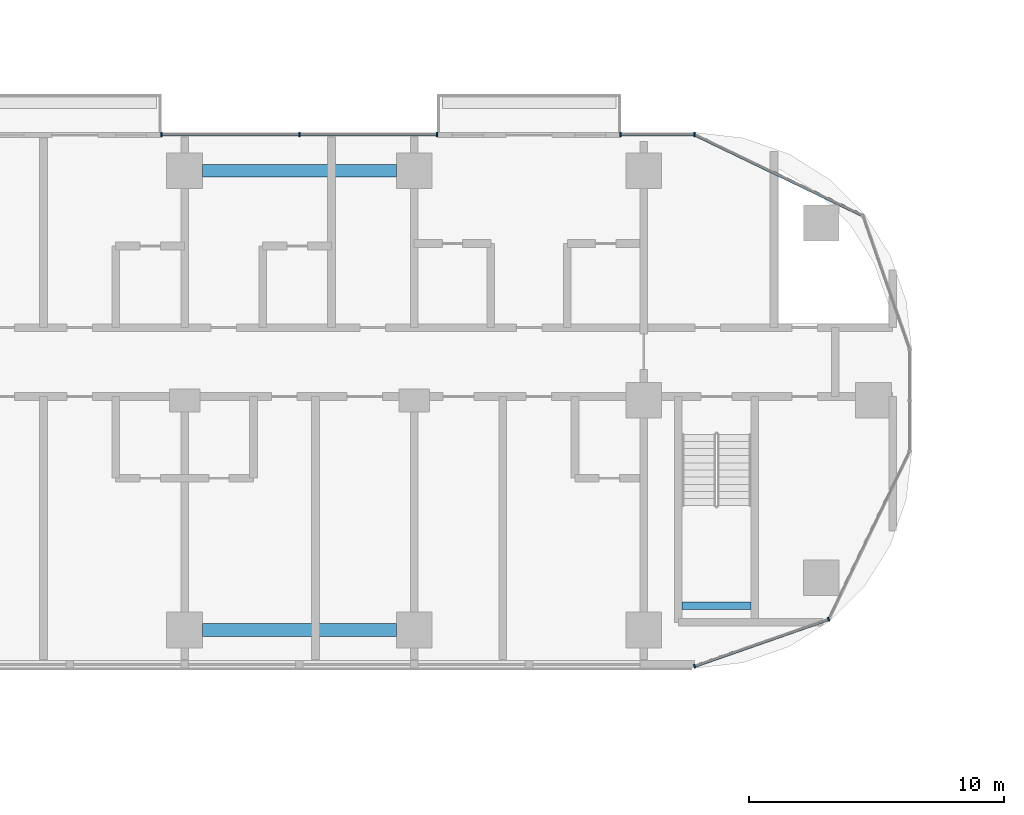
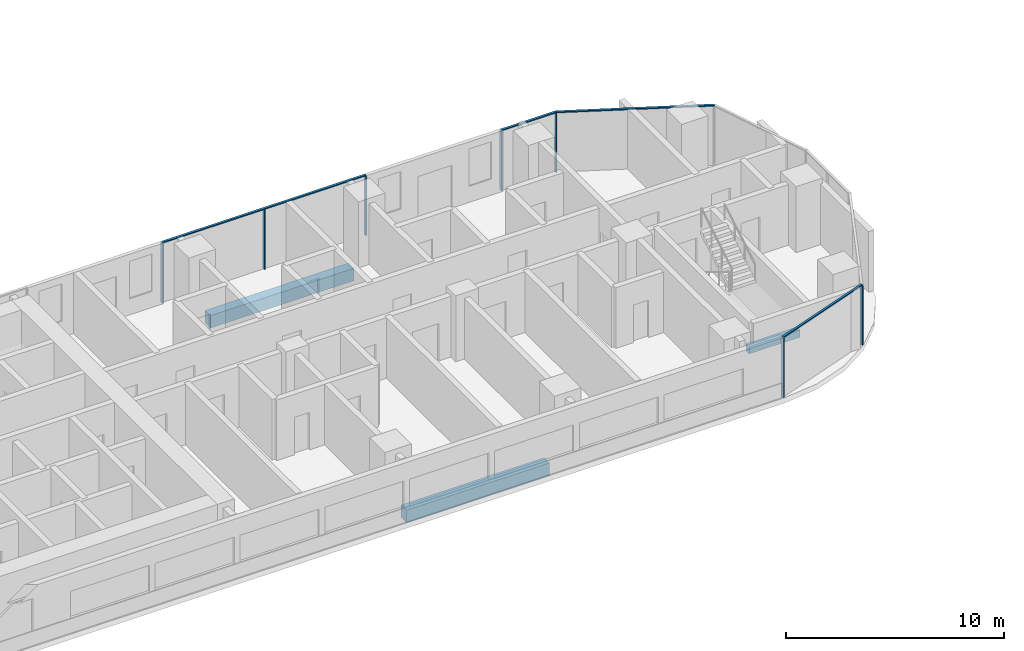
# One storey, part 3 of 31: 11 members, 3 beams, 4 elements without a shape of their own.
"""IFC4 building model written with IfcOpenShell, lengths in metres."""

import ifcopenshell
import ifcopenshell.guid

model = None  # the IFC model being written
_history = None  # IfcOwnerHistory: only IFC2X3 demands one
_inside = {}  # id of a spatial element -> (the spatial element, [elements in it])
_under = {}  # id of a project, library or spatial element -> (it, [spatial elements below it])
_declared = {}  # id of a project -> (the project, [libraries it declares])
_typed = {}  # id of a type object -> (the type object, [elements of that type])
_made_of = {}  # id of a material, layer set ... -> (it, [elements and type objects made of it])


def new_model(schema):
    """Start an empty IFC model of exactly this schema.

    Asked for "IFC4X3", IfcOpenShell would pick the latest addendum, in which some entities
    have other attributes; the version numbers below select the first issue.
    IFC2X3 requires an IfcOwnerHistory on every rooted entity: one is made here for all.
    """
    global model, _history
    if schema == "IFC4X3":
        model = ifcopenshell.file(schema_version=(4, 3, 0, 0))
    else:
        model = ifcopenshell.file(schema=schema)
    _inside.clear()
    _under.clear()
    _declared.clear()
    _typed.clear()
    _made_of.clear()
    _history = None
    if model.schema == "IFC2X3":
        org = make("IfcOrganization", Name="unknown")
        user = make(
            "IfcPersonAndOrganization",
            ThePerson=make("IfcPerson", FamilyName="unknown"),
            TheOrganization=org,
        )
        app = make(
            "IfcApplication",
            ApplicationDeveloper=org,
            Version="unknown",
            ApplicationFullName="unknown",
            ApplicationIdentifier="unknown",
        )
        _history = make(
            "IfcOwnerHistory",
            OwningUser=user,
            OwningApplication=app,
            ChangeAction="ADDED",
            CreationDate=0,
        )
    return model


def make(cls, **values):
    """One entity of the class cls with the attributes given. An attribute that is None is left unset."""
    return model.create_entity(
        cls, **{name: value for name, value in values.items() if value is not None}
    )


def rooted(cls, **values):
    """An entity with a GlobalId (a new one), such as an element, a storey or a relation."""
    return make(cls, GlobalId=ifcopenshell.guid.new(), OwnerHistory=_history, **values)


def si_unit(unit_type, name, prefix=None):
    """IfcSIUnit, for example si_unit("LENGTHUNIT", "METRE", prefix="MILLI")."""
    return make("IfcSIUnit", UnitType=unit_type, Prefix=prefix, Name=name)


def assignment(units):
    """IfcUnitAssignment: the units of a project."""
    return None if units is None else make("IfcUnitAssignment", Units=units)


def point(xyz):
    """IfcCartesianPoint."""
    return None if xyz is None else make("IfcCartesianPoint", Coordinates=xyz)


def direction(xyz):
    """IfcDirection."""
    return None if xyz is None else make("IfcDirection", DirectionRatios=xyz)


def frame(location, z_axis=None, x_axis=None):
    """IfcAxis2Placement3D, a coordinate frame: its origin and axes. An axis left out is left unset."""
    return make(
        "IfcAxis2Placement3D",
        Location=point(location),
        Axis=direction(z_axis),
        RefDirection=direction(x_axis),
    )


def frame_2d(location, x_axis=None):
    """IfcAxis2Placement2D, a coordinate frame in the plane: its origin and x axis."""
    return make(
        "IfcAxis2Placement2D", Location=point(location), RefDirection=direction(x_axis)
    )


def origin():
    """The frame at (0, 0, 0) with its axes left unset."""
    return frame((0.0, 0.0, 0.0))


def origin_2d():
    """The frame at (0, 0) in the plane with its x axis left unset."""
    return frame_2d((0.0, 0.0))


def place(relative_to, where):
    """IfcLocalPlacement: puts the frame where relative to a parent placement (None: the world)."""
    return make(
        "IfcLocalPlacement", PlacementRelTo=relative_to, RelativePlacement=where
    )


def context(
    kind, dimensions, precision=None, world=None, true_north=None, identifier=None
):
    """IfcGeometricRepresentationContext, for example the 3D "Model" context."""
    return make(
        "IfcGeometricRepresentationContext",
        ContextIdentifier=identifier,
        ContextType=kind,
        CoordinateSpaceDimension=dimensions,
        Precision=precision,
        WorldCoordinateSystem=world,
        TrueNorth=true_north,
    )


def subcontext(parent, identifier, kind, view, scale=None):
    """IfcGeometricRepresentationSubContext, for example "Body" below "Model"."""
    return make(
        "IfcGeometricRepresentationSubContext",
        ContextIdentifier=identifier,
        ContextType=kind,
        ParentContext=parent,
        TargetScale=scale,
        TargetView=view,
    )


def project(units=None, contexts=None):
    """IfcProject with its units and contexts."""
    return rooted(
        "IfcProject",
        Name="project",
        RepresentationContexts=contexts,
        UnitsInContext=assignment(units),
    )


def spatial(cls, under=None, at=None, **own):
    """A site, building, storey or space (cls), placed at a placement, below another one or the project."""
    s = rooted(cls, ObjectPlacement=at, **own)
    if under is not None:
        _under.setdefault(under.id(), (under, []))[1].append(s)
    return s


def profile(cls, at=None, kind="AREA", **sizes):
    """A parametric profile (cls). Its sizes go by their IFC names, for example OverallWidth=200.0."""
    return make(cls, ProfileType=kind, Position=at, **sizes)


def rectangle(**sizes):
    """IfcRectangleProfileDef."""
    return profile("IfcRectangleProfileDef", **sizes)


def extrude(swept, where, along, depth):
    """IfcExtrudedAreaSolid: the profile swept, set in the frame where, extruded along a direction by depth."""
    return make(
        "IfcExtrudedAreaSolid",
        SweptArea=swept,
        Position=where,
        ExtrudedDirection=direction(along),
        Depth=depth,
    )


def shape(context_of_items, identifier, shape_type, items):
    """IfcShapeRepresentation: the items that make up one representation, for example the "Body"."""
    return make(
        "IfcShapeRepresentation",
        ContextOfItems=context_of_items,
        RepresentationIdentifier=identifier,
        RepresentationType=shape_type,
        Items=items,
    )


def material(Name=None, Category=None):
    """IfcMaterial."""
    return make("IfcMaterial", Name=Name, Category=Category)


def material_profile(
    of_material, cross_section, Name=None, Category=None, Priority=None
):
    """IfcMaterialProfile: a cross section and its material."""
    return make(
        "IfcMaterialProfile",
        Name=Name,
        Material=of_material,
        Profile=cross_section,
        Priority=Priority,
        Category=Category,
    )


def profile_set(profiles, Name=None, composite=None):
    """IfcMaterialProfileSet."""
    return make(
        "IfcMaterialProfileSet",
        Name=Name,
        MaterialProfiles=profiles,
        CompositeProfile=composite,
    )


def made_of(thing, what):
    """Note that an element or type object is made of a material, layer set ...; save() writes the relation."""
    if what is not None:
        _made_of.setdefault(what.id(), (what, []))[1].append(thing)
    return thing


def type_object(cls, material=None, **own):
    """A type object (cls), such as IfcWallType, which elements share."""
    return made_of(rooted(cls, **own), material)


def element(
    cls,
    number,
    at=None,
    inside=None,
    cuts=None,
    type_object=None,
    material=None,
    context=None,
    identifier="Body",
    shape_type=None,
    held_by="IfcProductDefinitionShape",
    body=None,
    shapes=None,
    **own,
):
    """One element of the class cls, such as IfcWall. Its Tag is "e" and its number.

    at: its placement. inside: the storey or other place that contains it. cuts: it is an
    opening in that element (IfcRelVoidsElement). A single representation is given by context,
    identifier, shape_type and body (its items); several are given by shapes. held_by: the class
    of the entity that holds the representations. save() writes the other relations.
    """
    e = rooted(cls, Tag="e%d" % number, ObjectPlacement=at, **own)
    if body is not None:
        shapes = [shape(context, identifier, shape_type, body)]
    if shapes is not None:
        e.Representation = make(held_by, Representations=shapes)
    if inside is not None:
        _inside.setdefault(inside.id(), (inside, []))[1].append(e)
    if cuts is not None:
        rooted(
            "IfcRelVoidsElement", RelatingBuildingElement=cuts, RelatedOpeningElement=e
        )
    if type_object is not None:
        _typed.setdefault(type_object.id(), (type_object, []))[1].append(e)
    return made_of(e, material)


def aggregate(whole, parts):
    """IfcRelAggregates: a whole, such as a stair, and the parts it consists of."""
    return rooted("IfcRelAggregates", RelatingObject=whole, RelatedObjects=parts)


def save(model, path):
    """Write the relations noted so far, then the file.

    IfcRelAggregates (storeys below a building ...), IfcRelContainedInSpatialStructure (elements
    in a storey), IfcRelDefinesByType, IfcRelAssociatesMaterial and IfcRelDeclares: one each for
    every whole, place, type object, material and project.
    """
    for whole, parts in _under.values():
        aggregate(whole, parts)
    for where, things in _inside.values():
        rooted(
            "IfcRelContainedInSpatialStructure",
            RelatedElements=things,
            RelatingStructure=where,
        )
    for kind, things in _typed.values():
        rooted("IfcRelDefinesByType", RelatedObjects=things, RelatingType=kind)
    for what, things in _made_of.values():
        rooted("IfcRelAssociatesMaterial", RelatedObjects=things, RelatingMaterial=what)
    for by, libraries in _declared.values():
        rooted("IfcRelDeclares", RelatingContext=by, RelatedDefinitions=libraries)
    model.write(path)


model = new_model("IFC4")

# Units and contexts
model_context = context("Model", 3, precision=1e-05, world=origin(), true_north=direction((0.0, 1.0)))
body_context = subcontext(model_context, "Body", "Model", "MODEL_VIEW")
ifc_project = project(units=[si_unit("LENGTHUNIT", "METRE"), si_unit("AREAUNIT", "SQUARE_METRE"), si_unit("VOLUMEUNIT", "CUBIC_METRE"), si_unit("PLANEANGLEUNIT", "RADIAN"), si_unit("MASSUNIT", "GRAM", prefix="KILO")], contexts=[model_context])

# Site, building, storey
site_placement = place(None, origin())
site = spatial("IfcSite", under=ifc_project, at=site_placement, CompositionType="ELEMENT")
building_placement = place(site_placement, origin())
building = spatial("IfcBuilding", under=site, at=building_placement, Name="Ogive Portal Towers", CompositionType="ELEMENT")
storey_placement = place(building_placement, frame((0.0, 0.0, 74.199951171875)))
storey = spatial("IfcBuildingStorey", under=building, at=storey_placement, Name="L17", CompositionType="ELEMENT", Elevation=74.199951171875)

# Beam
ifc_material_1 = material(Name="Concrete C40/50", Category="concrete")
ifc_material_profile_1 = material_profile(ifc_material_1, rectangle(XDim=0.300048828125, YDim=0.39990234375, at=origin_2d()), Name="RC 300x400")
ifc_profile_set_1 = profile_set([ifc_material_profile_1], Name="Concrete C40/50")
beam_type_1 = type_object("IfcBeamType", Name="BEAM RC 300x400", PredefinedType="BEAM", material=ifc_profile_set_1)
beam_placement = place(storey_placement, frame((87.0, 22.449951171875, 1.449951171875), z_axis=(1.0, 0.0, 0.0), x_axis=(0.0, 1.0, 0.0)))
element("IfcBeam", 1, at=beam_placement, inside=storey, type_object=beam_type_1, Name="Landing beam L17", PredefinedType="BEAM", context=body_context, shape_type="SweptSolid", body=[
    extrude(rectangle(XDim=0.300048828125, YDim=0.39990234375, at=origin_2d()), origin(), (0.0, 0.0, 1.0), 2.699951171875),
])

# Curtain wall, members
ifc_material_2 = material(Name="Glass, clear low-iron insulated glazing", Category="glass")
curtain_wall_type = type_object("IfcCurtainWallType", Name="CW FRONT RIBBON 4500", PredefinedType="NOTDEFINED", material=ifc_material_2)
curtain_wall_1_placement = place(storey_placement, origin())
curtain_wall_1 = element("IfcCurtainWall", 2, at=curtain_wall_1_placement, inside=storey, type_object=curtain_wall_type, Name="A:L17:f12:cw0", PredefinedType="NOTDEFINED")
ifc_material_3 = material(Name="Aluminium 6063 anodised", Category="aluminium")
ifc_material_profile_2 = material_profile(ifc_material_3, rectangle(XDim=0.159912109375, YDim=0.06005859375, at=origin_2d()), Name="AL 60x160")
ifc_profile_set_2 = profile_set([ifc_material_profile_2], Name="Aluminium 6063 anodised")
member_type_1 = type_object("IfcMemberType", Name="CW MULLION 60x160", PredefinedType="MULLION", material=ifc_profile_set_2)
member_1_placement = place(storey_placement, frame((87.481689453125, 40.919921875, 0.0), z_axis=(0.0, 0.0, 1.0), x_axis=(0.0, -1.0, 0.0)))
member_1 = element("IfcMember", 3, at=member_1_placement, type_object=member_type_1, Name="mullion", PredefinedType="MULLION", context=body_context, shape_type="SweptSolid", body=[
    extrude(rectangle(XDim=0.159912109375, YDim=0.06005859375, at=origin_2d()), origin(), (0.0, 0.0, 1.0), 3.340087890625),
])
member_2_placement = place(storey_placement, frame((84.582763671875, 40.919921875, 0.0), z_axis=(0.0, 0.0, 1.0), x_axis=(0.0, -1.0, 0.0)))
member_2 = element("IfcMember", 4, at=member_2_placement, type_object=member_type_1, Name="mullion", PredefinedType="MULLION", context=body_context, shape_type="SweptSolid", body=[
    extrude(rectangle(XDim=0.159912109375, YDim=0.06005859375, at=origin_2d()), origin(), (0.0, 0.0, 1.0), 3.340087890625),
])

curtain_wall_2_placement = place(storey_placement, origin())
curtain_wall_2 = element("IfcCurtainWall", 5, at=curtain_wall_2_placement, inside=storey, type_object=curtain_wall_type, Name="A:L17:f12:cw1", PredefinedType="NOTDEFINED")
member_3_placement = place(storey_placement, frame((77.385009765625, 40.919921875, 0.0), z_axis=(0.0, 0.0, 1.0), x_axis=(0.0, -1.0, 0.0)))
member_3 = element("IfcMember", 6, at=member_3_placement, type_object=member_type_1, Name="mullion", PredefinedType="MULLION", context=body_context, shape_type="SweptSolid", body=[
    extrude(rectangle(XDim=0.159912109375, YDim=0.06005859375, at=origin_2d()), origin(), (0.0, 0.0, 1.0), 3.340087890625),
])
member_4_placement = place(storey_placement, frame((72.0, 40.919921875, 0.0), z_axis=(0.0, 0.0, 1.0), x_axis=(0.0, -1.0, 0.0)))
member_4 = element("IfcMember", 7, at=member_4_placement, type_object=member_type_1, Name="mullion", PredefinedType="MULLION", context=body_context, shape_type="SweptSolid", body=[
    extrude(rectangle(XDim=0.159912109375, YDim=0.06005859375, at=origin_2d()), origin(), (0.0, 0.0, 1.0), 3.340087890625),
])
member_5_placement = place(storey_placement, frame((66.588623046875, 40.919921875, 0.0), z_axis=(0.0, 0.0, 1.0), x_axis=(0.0, -1.0, 0.0)))
member_5 = element("IfcMember", 8, at=member_5_placement, type_object=member_type_1, Name="mullion", PredefinedType="MULLION", context=body_context, shape_type="SweptSolid", body=[
    extrude(rectangle(XDim=0.159912109375, YDim=0.06005859375, at=origin_2d()), origin(), (0.0, 0.0, 1.0), 3.340087890625),
])

curtain_wall_3_placement = place(storey_placement, origin())
curtain_wall_3 = element("IfcCurtainWall", 9, at=curtain_wall_3_placement, inside=storey, type_object=curtain_wall_type, Name="A:L17:f07:cwa", PredefinedType="NOTDEFINED")
member_6_placement = place(storey_placement, frame((87.486328125, 20.080078125, 0.0), z_axis=(0.0, 0.0, 1.0), x_axis=(-0.33027906196, 0.943883330307, 0.0)))
member_6 = element("IfcMember", 10, at=member_6_placement, type_object=member_type_1, Name="mullion", PredefinedType="MULLION", context=body_context, shape_type="SweptSolid", body=[
    extrude(rectangle(XDim=0.159912109375, YDim=0.06005859375, at=origin_2d()), origin(), (0.0, 0.0, 1.0), 3.340087890625),
])
member_7_placement = place(storey_placement, frame((92.741943359375, 21.9189453125, 0.0), z_axis=(0.0, 0.0, 1.0), x_axis=(-0.33027906196, 0.943883330307, 0.0)))
member_7 = element("IfcMember", 11, at=member_7_placement, type_object=member_type_1, Name="mullion", PredefinedType="MULLION", context=body_context, shape_type="SweptSolid", body=[
    extrude(rectangle(XDim=0.159912109375, YDim=0.06005859375, at=origin_2d()), origin(), (0.0, 0.0, 1.0), 3.340087890625),
])

# Member
ifc_material_profile_3 = material_profile(ifc_material_3, rectangle(XDim=0.1201171875, YDim=0.06005859375, at=origin_2d()), Name="AL 120x60")
ifc_profile_set_3 = profile_set([ifc_material_profile_3], Name="Aluminium 6063 anodised")
member_type_2 = type_object("IfcMemberType", Name="CW TRANSOM 60x120", PredefinedType="USERDEFINED", material=ifc_profile_set_3)
member_8_placement = place(storey_placement, frame((87.481689453125, 40.919921875, 3.3701171875), z_axis=(-1.0, 0.0, 0.0), x_axis=(0.0, -1.0, 0.0)))
member_8 = element("IfcMember", 12, at=member_8_placement, type_object=member_type_2, Name="transom", ObjectType="TRANSOM", PredefinedType="USERDEFINED", context=body_context, shape_type="SweptSolid", body=[
    extrude(rectangle(XDim=0.1201171875, YDim=0.06005859375, at=origin_2d()), origin(), (0.0, 0.0, 1.0), 2.89892578125),
])

aggregate(curtain_wall_1, [member_8, member_1, member_2])

member_9_placement = place(storey_placement, frame((77.385009765625, 40.919921875, 3.3701171875), z_axis=(-1.0, 0.0, 0.0), x_axis=(0.0, -1.0, 0.0)))
member_9 = element("IfcMember", 13, at=member_9_placement, type_object=member_type_2, Name="transom", ObjectType="TRANSOM", PredefinedType="USERDEFINED", context=body_context, shape_type="SweptSolid", body=[
    extrude(rectangle(XDim=0.1201171875, YDim=0.06005859375, at=origin_2d()), origin(), (0.0, 0.0, 1.0), 10.79638671875),
])

aggregate(curtain_wall_2, [member_9, member_3, member_4, member_5])

member_10_placement = place(storey_placement, frame((87.486328125, 20.080078125, 3.3701171875), z_axis=(0.943891847017, 0.330254721593, 0.0), x_axis=(-0.330254721593, 0.943891847017, 0.0)))
member_10 = element("IfcMember", 14, at=member_10_placement, type_object=member_type_2, Name="transom", ObjectType="TRANSOM", PredefinedType="USERDEFINED", context=body_context, shape_type="SweptSolid", body=[
    extrude(rectangle(XDim=0.1201171875, YDim=0.06005859375, at=origin_2d()), origin(), (0.0, 0.0, 1.0), 5.568115234375),
])

aggregate(curtain_wall_3, [member_10, member_6, member_7])

# Curtain wall, member
curtain_wall_4_placement = place(storey_placement, origin())
curtain_wall_4 = element("IfcCurtainWall", 15, at=curtain_wall_4_placement, inside=storey, type_object=curtain_wall_type, Name="A:L17:f10:cwa", PredefinedType="NOTDEFINED")
member_11_placement = place(storey_placement, frame((94.0810546875, 37.741943359375, 3.3701171875), z_axis=(-0.900974646757, 0.433871738997, 0.0), x_axis=(-0.433871738997, -0.900974646757, 0.0)))
member_11 = element("IfcMember", 16, at=member_11_placement, type_object=member_type_2, Name="transom", ObjectType="TRANSOM", PredefinedType="USERDEFINED", context=body_context, shape_type="SweptSolid", body=[
    extrude(rectangle(XDim=0.1201171875, YDim=0.06005859375, at=origin_2d()), origin(), (0.0, 0.0, 1.0), 7.32470703125),
])
aggregate(curtain_wall_4, [member_11])

# Beams
ifc_material_profile_4 = material_profile(ifc_material_1, rectangle(XDim=0.5, YDim=0.699951171875, at=origin_2d()), Name="RC 500x700")
ifc_profile_set_4 = profile_set([ifc_material_profile_4], Name="Concrete C40/50")
beam_type_2 = type_object("IfcBeamType", Name="SPANDREL BEAM RC 500x700", PredefinedType="BEAM", material=ifc_profile_set_4)
for number, where, z_axis, x_axis, name in (
    (17, (68.199951171875, 39.5, -0.64990234375), (1.0, 0.0, 0.0), (0.0, 1.0, 0.0), "Spandrel beam L17"),
    (18, (75.800048828125, 21.5, -0.64990234375), (-1.0, 0.0, 0.0), (0.0, -1.0, 0.0), "Spandrel beam L17"),
):
    element("IfcBeam", number, at=place(storey_placement, frame(where, z_axis=z_axis, x_axis=x_axis)), inside=storey, type_object=beam_type_2, Name=name, PredefinedType="BEAM", context=body_context, shape_type="SweptSolid", body=[
        extrude(rectangle(XDim=0.5, YDim=0.699951171875, at=origin_2d()), origin(), (0.0, 0.0, 1.0), 7.60009765625),
    ])

save(model, "model.ifc")
